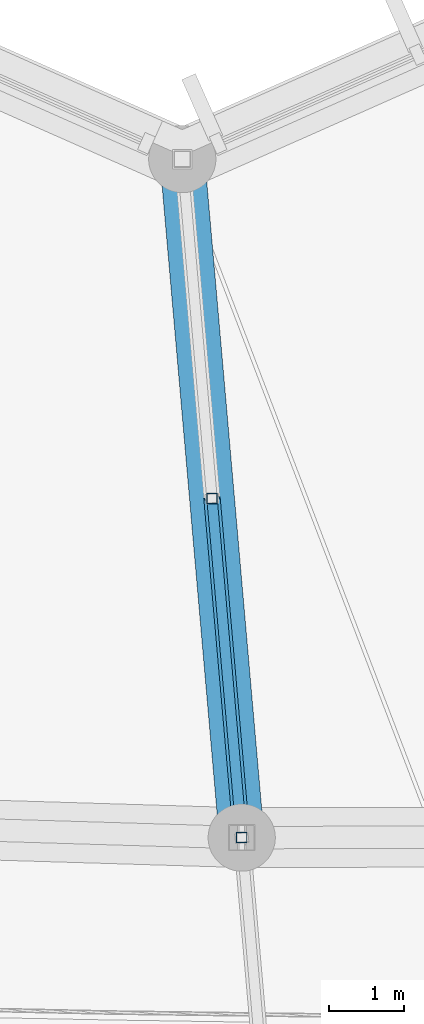
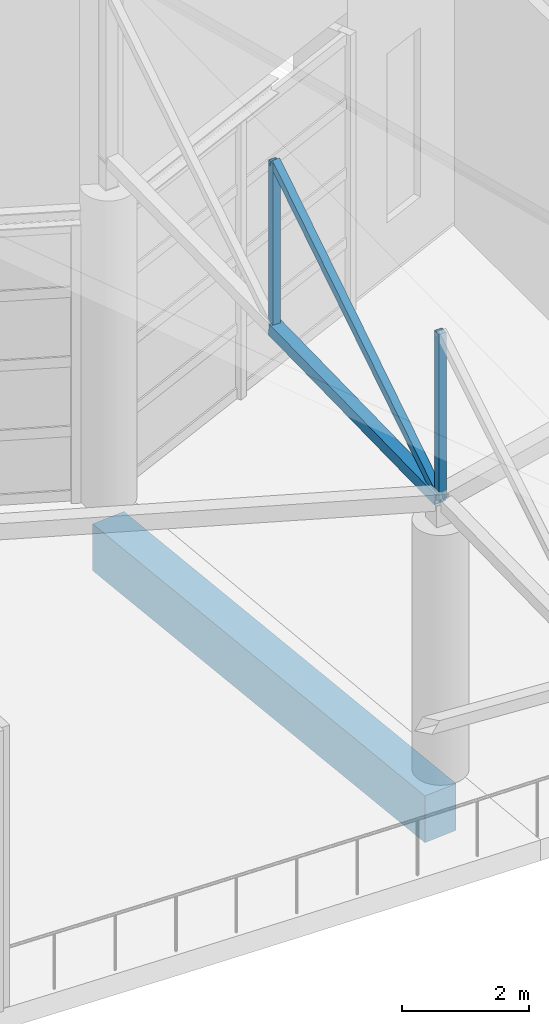
# One storey, part 165 of 344: 4 members, 1 beam.
"""IFC4 building model written with IfcOpenShell, lengths in metres."""

from ifc_helpers import new_model, si_unit, direction, frame, origin, origin_2d, place, context, subcontext, project, spatial, rectangle, hollow_rectangle, extrude, material, material_profile, profile_set, type_object, element, save


model = new_model("IFC4")

# Units and contexts
model_context = context("Model", 3, precision=1e-05, world=origin(), true_north=direction((0.0, 1.0)))
body_context = subcontext(model_context, "Body", "Model", "MODEL_VIEW")
ifc_project = project(units=[si_unit("LENGTHUNIT", "METRE"), si_unit("AREAUNIT", "SQUARE_METRE"), si_unit("VOLUMEUNIT", "CUBIC_METRE"), si_unit("PLANEANGLEUNIT", "RADIAN"), si_unit("MASSUNIT", "GRAM", prefix="KILO")], contexts=[model_context])

# Site, building, storey
site_placement = place(None, origin())
site = spatial("IfcSite", under=ifc_project, at=site_placement, CompositionType="ELEMENT")
building_placement = place(site_placement, origin())
building = spatial("IfcBuilding", under=site, at=building_placement, Name="Meseta Stadium", CompositionType="ELEMENT")
storey_placement = place(building_placement, frame((0.0, 0.0, 24.0)))
storey = spatial("IfcBuildingStorey", under=building, at=storey_placement, Name="L04", CompositionType="ELEMENT", Elevation=24.0)

# Beam
ifc_material_1 = material(Name="Concrete C40/50", Category="concrete")
ifc_material_profile_1 = material_profile(ifc_material_1, rectangle(XDim=0.60009765625, YDim=0.89990234375, at=origin_2d()), Name="RC 600x900")
ifc_profile_set_1 = profile_set([ifc_material_profile_1], Name="Concrete C40/50")
beam_type = type_object("IfcBeamType", Name="RC beam 600x900", PredefinedType="BEAM", material=ifc_profile_set_1)
beam_placement = place(storey_placement, frame((-6.87060546875, 89.517822265625, -0.85009765625), z_axis=(-0.087324072983, 0.996179956774, 0.0), x_axis=(-0.996179956774, -0.087324072983, 0.0)))
element("IfcBeam", 1, at=beam_placement, inside=storey, type_object=beam_type, Name="L04 radial beam frame 19 line P to R", PredefinedType="BEAM", context=body_context, shape_type="SweptSolid", body=[
    extrude(rectangle(XDim=0.60009765625, YDim=0.89990234375, at=origin_2d()), origin(), (0.0, 0.0, 1.0), 9.1171875),
])

# Members
ifc_material_2 = material(Name="Steel S355", Category="steel")
ifc_material_profile_2 = material_profile(ifc_material_2, hollow_rectangle(XDim=0.139892578125, YDim=0.139892578125, WallThickness=0.0048828125, at=origin_2d()), Name="SHS 140x140x5")
ifc_profile_set_2 = profile_set([ifc_material_profile_2], Name="Steel S355")
member_type_1 = type_object("IfcMemberType", Name="SHS 140x140x5 diagonal", PredefinedType="BRACE", material=ifc_profile_set_2)
member_1_placement = place(storey_placement, frame((-6.870849609375, 89.517822265625, 5.212646484375), z_axis=(-0.066593834062, 0.759905100344, 0.646613872212), x_axis=(-0.996182081801, -0.087299827599, 0.0)))
element("IfcMember", 2, at=member_1_placement, inside=storey, type_object=member_type_1, Name="ROOF TRUSS RT-19 diagonal", PredefinedType="BRACE", context=body_context, shape_type="SweptSolid", body=[
    extrude(hollow_rectangle(XDim=0.139892578125, YDim=0.139892578125, WallThickness=0.0048828125, at=origin_2d()), origin(), (0.0, 0.0, 1.0), 5.975830078125),
])
ifc_material_3 = material(Name="Steel S355", Category="steel")
ifc_material_profile_3 = material_profile(ifc_material_3, hollow_rectangle(XDim=0.139892578125, YDim=0.139892578125, WallThickness=0.0048828125, at=origin_2d()), Name="SHS 140x140x5")
ifc_profile_set_3 = profile_set([ifc_material_profile_3], Name="Steel S355")
member_type_2 = type_object("IfcMemberType", Name="SHS 140x140x5 post", PredefinedType="POST", material=ifc_profile_set_3)
for number, where, z_axis, x_axis, name in (
    (3, (-6.870849609375, 89.517822265625, 5.212646484375), (0.0, 0.0, 1.0), (1.0, 0.0, 0.0), "ROOF TRUSS RT-19 post"),
    (4, (-7.268798828125, 94.058837890625, 5.876708984375), (0.0, 0.0, 1.0), (1.0, 0.0, 0.0), "ROOF TRUSS RT-19 post"),
):
    element("IfcMember", number, at=place(storey_placement, frame(where, z_axis=z_axis, x_axis=x_axis)), inside=storey, type_object=member_type_2, Name=name, PredefinedType="POST", context=body_context, shape_type="SweptSolid", body=[
        extrude(hollow_rectangle(XDim=0.139892578125, YDim=0.139892578125, WallThickness=0.0048828125, at=origin_2d()), origin(), (0.0, 0.0, 1.0), 3.199951171875),
    ])
ifc_material_4 = material(Name="Steel S355", Category="steel")
ifc_material_profile_4 = material_profile(ifc_material_4, hollow_rectangle(XDim=0.219970703125, YDim=0.219970703125, WallThickness=0.008056640625, at=origin_2d()), Name="SHS 220x220x8")
ifc_profile_set_4 = profile_set([ifc_material_profile_4], Name="Steel S355")
member_type_3 = type_object("IfcMemberType", Name="SHS 220x220x8 bottom chord", PredefinedType="CHORD", material=ifc_profile_set_4)
member_2_placement = place(storey_placement, frame((-6.870849609375, 89.517822265625, 5.212646484375), z_axis=(-0.08638797087, 0.985776845507, 0.144156613967), x_axis=(-0.996182081801, -0.087299827599, 0.0)))
element("IfcMember", 5, at=member_2_placement, inside=storey, type_object=member_type_3, Name="ROOF TRUSS RT-19 bottom chord", PredefinedType="CHORD", context=body_context, shape_type="SweptSolid", body=[
    extrude(hollow_rectangle(XDim=0.219970703125, YDim=0.219970703125, WallThickness=0.008056640625, at=origin_2d()), origin(), (0.0, 0.0, 1.0), 4.6064453125),
])

save(model, "model.ifc")
